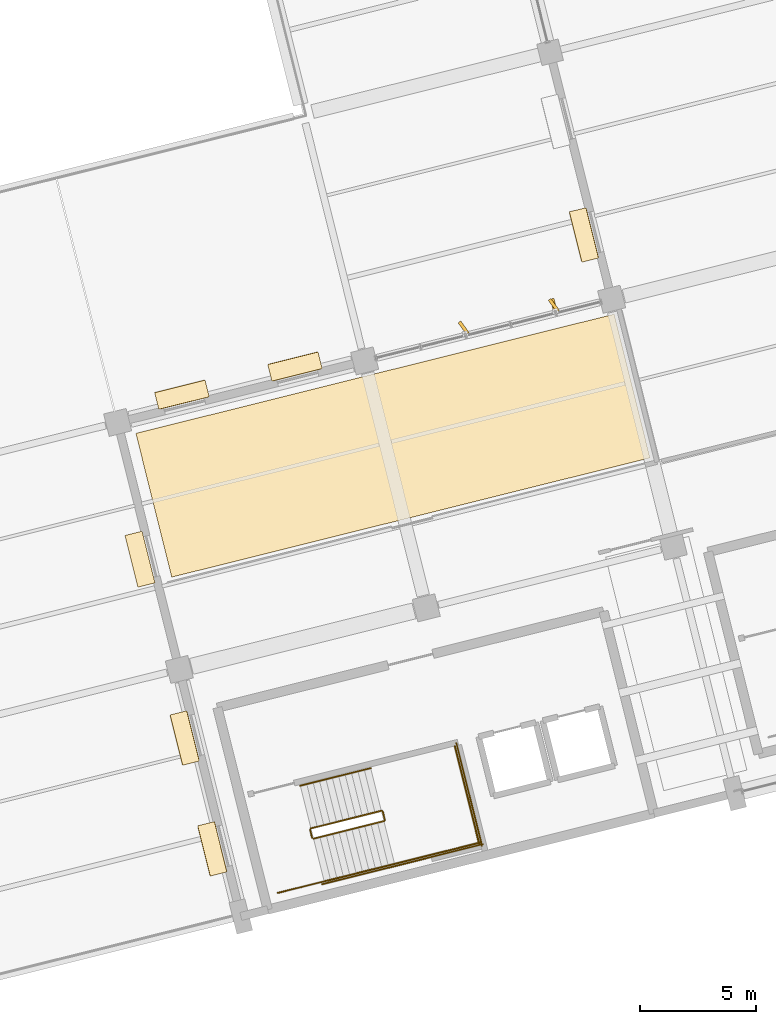
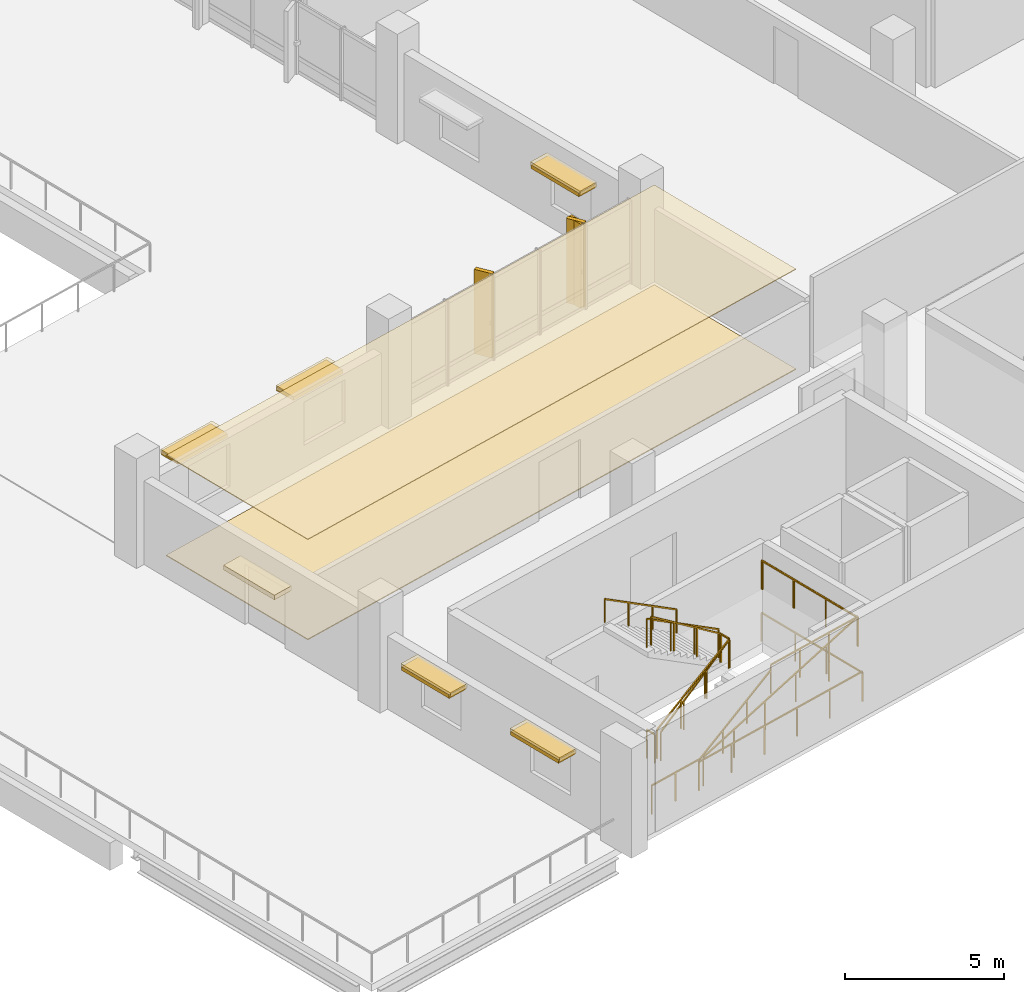
# One storey, part 71 of 75: 13 railings, 9 coverings, 7 shading devices.
"""IFC4 building model written with IfcOpenShell, lengths in metres."""

from ifc_helpers import new_model, si_unit, direction, frame, origin, origin_2d, place, context, subcontext, project, spatial, polyline, rectangle, outline, extrude, material, layer, layer_set, type_object, element, save


model = new_model("IFC4")

# Units and contexts
model_context = context("Model", 3, precision=1e-05, world=origin(), true_north=direction((0.0, 1.0)))
body_context = subcontext(model_context, "Body", "Model", "MODEL_VIEW")
ifc_project = project(units=[si_unit("LENGTHUNIT", "METRE"), si_unit("AREAUNIT", "SQUARE_METRE"), si_unit("VOLUMEUNIT", "CUBIC_METRE"), si_unit("PLANEANGLEUNIT", "RADIAN"), si_unit("MASSUNIT", "GRAM", prefix="KILO")], contexts=[model_context])

# Site, building, storey
site_placement = place(None, origin())
site = spatial("IfcSite", under=ifc_project, at=site_placement, CompositionType="ELEMENT")
building_placement = place(site_placement, origin())
building = spatial("IfcBuilding", under=site, at=building_placement, Name="Khorjan Park Terminus", CompositionType="ELEMENT")
storey_placement = place(building_placement, frame((0.0, 0.0, 16.2)))
storey = spatial("IfcBuildingStorey", under=building, at=storey_placement, Name="L03", CompositionType="ELEMENT", Elevation=16.2)

# Coverings
ifc_material_1 = material(Name="Perforated Acoustic Aluminium Baffle Ceiling", Category="aluminium")
ifc_layer_1 = layer(ifc_material_1, 0.03)
ifc_layer_set_1 = layer_set([ifc_layer_1], Name="Perforated Acoustic Aluminium Baffle Ceiling")
covering_type_1 = type_object("IfcCoveringType", Name="CV-CLG-ACS", PredefinedType="CEILING", material=ifc_layer_set_1)
covering_1_placement = place(storey_placement, frame((0.0, 0.0, 3.835)))
element("IfcCovering", 1, at=covering_1_placement, inside=storey, type_object=covering_type_1, Name="Flush acoustic baffle ceiling AC-60 (L03-SCADA)", PredefinedType="CEILING", context=body_context, shape_type="SweptSolid", body=[
    extrude(outline(polyline([(194.3545, 24.4773), (173.6872, 19.3244), (172.139, 25.5342), (192.8062, 30.6871), (194.3545, 24.4773)])), origin(), (0.0, 0.0, 1.0), 0.03),
])
ifc_material_2 = material(Name="Pigmented Precast GRC", Category="concrete")
ifc_layer_2 = layer(ifc_material_2, 0.16)
ifc_layer_set_2 = layer_set([ifc_layer_2], Name="Pigmented Precast GRC")
covering_type_2 = type_object("IfcCoveringType", Name="CV-FIN-GRC", PredefinedType="CLADDING", material=ifc_layer_set_2)
covering_2_placement = place(storey_placement, frame((190.1971, 31.0724, -0.02), z_axis=(0.0, 0.0, 1.0), x_axis=(0.2419218956, -0.970295726276, 0.0)))
element("IfcCovering", 2, at=covering_2_placement, inside=storey, type_object=covering_type_2, Name="Projecting desert-sandstone GRC facade fin CL-FN1 (CW-V5-NW2-L03-B01-1)", PredefinedType="CLADDING", context=body_context, shape_type="SweptSolid", body=[
    extrude(rectangle(XDim=0.58, YDim=0.16, at=origin_2d()), origin(), (0.0, 0.0, 1.0), 3.235),
])
ifc_material_3 = material(Name="Polished Desert Limestone Terrazzo", Category="masonry")
ifc_layer_3 = layer(ifc_material_3, 0.035)
ifc_layer_set_3 = layer_set([ifc_layer_3], Name="Polished Desert Limestone Terrazzo")
covering_type_3 = type_object("IfcCoveringType", Name="CV-FLR-TRZ", PredefinedType="FLOORING", material=ifc_layer_set_3)
covering_3_placement = place(storey_placement, origin())
element("IfcCovering", 3, at=covering_3_placement, inside=storey, type_object=covering_type_3, Name="Architectural floor finish FF-TRZ (L03-SCADA)", PredefinedType="FLOORING", context=body_context, shape_type="SweptSolid", body=[
    extrude(outline(polyline([(194.3545, 24.4773), (173.6872, 19.3244), (172.139, 25.5342), (192.8062, 30.6871), (194.3545, 24.4773)])), origin(), (0.0, 0.0, 1.0), 0.035),
])
ifc_layer_4 = layer(ifc_material_2, 0.18)
ifc_layer_set_4 = layer_set([ifc_layer_4], Name="Pigmented Precast GRC")
covering_type_4 = type_object("IfcCoveringType", Name="CV-HOOD-GRC", PredefinedType="CLADDING", material=ifc_layer_set_4)
for number, where, z_axis, x_axis, name in (
    (4, (191.499, 34.1115, 2.58), (0.0, 0.0, 1.0), (0.24192722513, -0.970294397459, 0.0), "Projecting desert-sandstone GRC window eyebrow CL-HD1 (EW-V5-NW1-L03-B04-2)"),
    (5, (179.0117, 28.4227, 2.58), (0.0, 0.0, 1.0), (-0.970293026443, -0.241932723782, 0.0), "Projecting desert-sandstone GRC window eyebrow CL-HD1 (EW-V5-NW2-L03-B02-1)"),
    (6, (174.1264, 27.2046, 2.58), (0.0, 0.0, 1.0), (-0.970293026443, -0.241932723782, 0.0), "Projecting desert-sandstone GRC window eyebrow CL-HD1 (EW-V5-NW2-L03-B02-2)"),
):
    element("IfcCovering", number, at=place(storey_placement, frame(where, z_axis=z_axis, x_axis=x_axis)), inside=storey, type_object=covering_type_4, Name=name, PredefinedType="CLADDING", context=body_context, shape_type="SweptSolid", body=[
        extrude(rectangle(XDim=2.24, YDim=0.74, at=origin_2d()), origin(), (0.0, 0.0, 1.0), 0.16),
    ])
covering_4_placement = place(storey_placement, frame((172.3136, 20.1004, 2.31), z_axis=(0.0, 0.0, 1.0), x_axis=(0.241918762633, -0.970296507407, 0.0)))
element("IfcCovering", 7, at=covering_4_placement, inside=storey, type_object=covering_type_4, Name="Projecting pigmented-GRC entrance canopy hood CL-HD1 (EW-V5-W-L03-B01)", PredefinedType="CLADDING", context=body_context, shape_type="SweptSolid", body=[
    extrude(rectangle(XDim=2.3, YDim=0.76, at=origin_2d()), origin(), (0.0, 0.0, 1.0), 0.18),
])
for number, where, z_axis, x_axis, name in (
    (8, (174.2462, 12.3703, 2.58), (0.0, 0.0, 1.0), (0.241920507483, -0.970296072371, 0.0), "Projecting desert-sandstone GRC window eyebrow CL-HD1 (EW-V5-W-L03-B02-1)"),
    (9, (175.44, 7.5819, 2.58), (0.0, 0.0, 1.0), (0.241920507483, -0.970296072371, 0.0), "Projecting desert-sandstone GRC window eyebrow CL-HD1 (EW-V5-W-L03-B02-2)"),
):
    element("IfcCovering", number, at=place(storey_placement, frame(where, z_axis=z_axis, x_axis=x_axis)), inside=storey, type_object=covering_type_4, Name=name, PredefinedType="CLADDING", context=body_context, shape_type="SweptSolid", body=[
        extrude(rectangle(XDim=2.24, YDim=0.74, at=origin_2d()), origin(), (0.0, 0.0, 1.0), 0.16),
    ])

# Railings
ifc_material_4 = material(Name="Steel S355", Category="steel")
railing_type_1 = type_object("IfcRailingType", Name="GR-112", PredefinedType="GUARDRAIL", material=ifc_material_4)
railing_1_placement = place(storey_placement, frame((179.8138, 8.0206, 0.175)))
element("IfcRailing", 10, at=railing_1_placement, inside=storey, type_object=railing_type_1, Name="L03 ST-03 stair guard 1", PredefinedType="GUARDRAIL", context=body_context, shape_type="SweptSolid", body=[
    extrude(rectangle(XDim=0.048, YDim=0.048, at=origin_2d()), frame((0.0, 0.0, 1.096), z_axis=(0.826848000136, 0.206181934415, 0.523269906063), x_axis=(-0.241950149517, 0.970288681346, 0.0)), (0.0, 0.0, 1.0), 3.6788),
    extrude(rectangle(XDim=0.042, YDim=0.042, at=origin_2d()), origin(), (0.0, 0.0, 1.0), 1.072),
    extrude(rectangle(XDim=0.042, YDim=0.042, at=origin_2d()), frame((1.0139, 0.2528, 0.6417)), (0.0, 0.0, 1.0), 1.072),
    extrude(rectangle(XDim=0.042, YDim=0.042, at=origin_2d()), frame((2.0279, 0.5057, 1.2833)), (0.0, 0.0, 1.0), 1.072),
    extrude(rectangle(XDim=0.042, YDim=0.042, at=origin_2d()), frame((3.0418, 0.7585, 1.925)), (0.0, 0.0, 1.0), 1.072),
])
railing_2_placement = place(storey_placement, frame((182.8921, 8.8397, 2.1)))
element("IfcRailing", 11, at=railing_2_placement, inside=storey, type_object=railing_type_1, Name="L03 ST-03 stair guard 2", PredefinedType="GUARDRAIL", context=body_context, shape_type="SweptSolid", body=[
    extrude(rectangle(XDim=0.048, YDim=0.048, at=origin_2d()), frame((0.0, 0.0, 1.096), z_axis=(-0.241947338122, 0.970289382388, 0.0), x_axis=(-0.970289382388, -0.241947338122, 0.0)), (0.0, 0.0, 1.0), 0.36),
    extrude(rectangle(XDim=0.042, YDim=0.042, at=origin_2d()), origin(), (0.0, 0.0, 1.0), 1.072),
    extrude(rectangle(XDim=0.042, YDim=0.042, at=origin_2d()), frame((-0.0871, 0.3493, 0.0)), (0.0, 0.0, 1.0), 1.072),
])
railing_3_placement = place(storey_placement, frame((183.3153, 6.9355, 2.1)))
element("IfcRailing", 12, at=railing_3_placement, inside=storey, type_object=railing_type_1, Name="L03 ST-03 stair guard 3", PredefinedType="GUARDRAIL", context=body_context, shape_type="SweptSolid", body=[
    extrude(rectangle(XDim=0.048, YDim=0.048, at=origin_2d()), frame((0.0, 0.0, 1.096), z_axis=(0.970296897562, 0.241917197781, 0.0), x_axis=(-0.241917197781, 0.970296897562, 0.0)), (0.0, 0.0, 1.0), 3.805),
    extrude(rectangle(XDim=0.042, YDim=0.042, at=origin_2d()), origin(), (0.0, 0.0, 1.0), 1.072),
    extrude(rectangle(XDim=0.042, YDim=0.042, at=origin_2d()), frame((1.2307, 0.3068, 0.0)), (0.0, 0.0, 1.0), 1.072),
    extrude(rectangle(XDim=0.042, YDim=0.042, at=origin_2d()), frame((2.4613, 0.6137, 0.0)), (0.0, 0.0, 1.0), 1.072),
    extrude(rectangle(XDim=0.042, YDim=0.042, at=origin_2d()), frame((3.692, 0.9205, 0.0)), (0.0, 0.0, 1.0), 1.072),
])
railing_4_placement = place(storey_placement, frame((186.9708, 7.7954, 2.1)))
element("IfcRailing", 13, at=railing_4_placement, inside=storey, type_object=railing_type_1, Name="L03 ST-03 stair guard 4", PredefinedType="GUARDRAIL", context=body_context, shape_type="SweptSolid", body=[
    extrude(rectangle(XDim=0.048, YDim=0.048, at=origin_2d()), frame((0.0, 0.0, 1.096), z_axis=(-0.241904163851, 0.970300147125, 0.0), x_axis=(-0.970300147125, -0.241904163851, 0.0)), (0.0, 0.0, 1.0), 4.36),
    extrude(rectangle(XDim=0.042, YDim=0.042, at=origin_2d()), origin(), (0.0, 0.0, 1.0), 1.072),
    extrude(rectangle(XDim=0.042, YDim=0.042, at=origin_2d()), frame((-0.3516, 1.4102, 0.0)), (0.0, 0.0, 1.0), 1.072),
    extrude(rectangle(XDim=0.042, YDim=0.042, at=origin_2d()), frame((-0.7031, 2.8203, 0.0)), (0.0, 0.0, 1.0), 1.072),
    extrude(rectangle(XDim=0.042, YDim=0.042, at=origin_2d()), frame((-1.0547, 4.2305, 0.0)), (0.0, 0.0, 1.0), 1.072),
])
railing_5_placement = place(storey_placement, frame((182.7444, 9.2254, 2.275)))
element("IfcRailing", 14, at=railing_5_placement, inside=storey, type_object=railing_type_1, Name="L03 ST-03 stair guard 5", PredefinedType="GUARDRAIL", context=body_context, shape_type="SweptSolid", body=[
    extrude(rectangle(XDim=0.048, YDim=0.048, at=origin_2d()), frame((0.0, 0.0, 1.096), z_axis=(-0.826861232128, -0.206151273364, 0.523261077565), x_axis=(0.241912630498, -0.970298036278, 0.0)), (0.0, 0.0, 1.0), 3.6789),
    extrude(rectangle(XDim=0.042, YDim=0.042, at=origin_2d()), origin(), (0.0, 0.0, 1.0), 1.072),
    extrude(rectangle(XDim=0.042, YDim=0.042, at=origin_2d()), frame((-1.014, -0.2528, 0.6417)), (0.0, 0.0, 1.0), 1.072),
    extrude(rectangle(XDim=0.042, YDim=0.042, at=origin_2d()), frame((-2.0279, -0.5056, 1.2833)), (0.0, 0.0, 1.0), 1.072),
    extrude(rectangle(XDim=0.042, YDim=0.042, at=origin_2d()), frame((-3.0419, -0.7584, 1.925)), (0.0, 0.0, 1.0), 1.072),
])
railing_6_placement = place(storey_placement, frame((179.7532, 8.0571, 0.0)))
element("IfcRailing", 15, at=railing_6_placement, inside=storey, type_object=railing_type_1, Name="L03 ST-03 stair guard 6", PredefinedType="GUARDRAIL", context=body_context, shape_type="SweptSolid", body=[
    extrude(rectangle(XDim=0.048, YDim=0.048, at=origin_2d()), frame((0.0, 0.0, 1.096), z_axis=(-0.241947338122, 0.970289382388, 0.0), x_axis=(-0.970289382388, -0.241947338122, 0.0)), (0.0, 0.0, 1.0), 0.36),
    extrude(rectangle(XDim=0.042, YDim=0.042, at=origin_2d()), origin(), (0.0, 0.0, 1.0), 1.072),
    extrude(rectangle(XDim=0.042, YDim=0.042, at=origin_2d()), frame((-0.0871, 0.3493, 0.0)), (0.0, 0.0, 1.0), 1.072),
])
railing_7_placement = place(storey_placement, frame((178.2746, 5.6787, 0.0)))
element("IfcRailing", 16, at=railing_7_placement, inside=storey, type_object=railing_type_1, Name="L03 ST-03 stair guard 7", PredefinedType="GUARDRAIL", context=body_context, shape_type="SweptSolid", body=[
    extrude(rectangle(XDim=0.048, YDim=0.048, at=origin_2d()), frame((0.0, 0.0, 1.096), z_axis=(0.97029080484, 0.241941633546, 0.0), x_axis=(-0.241941633546, 0.97029080484, 0.0)), (0.0, 0.0, 1.0), 2.06),
    extrude(rectangle(XDim=0.042, YDim=0.042, at=origin_2d()), origin(), (0.0, 0.0, 1.0), 1.072),
    extrude(rectangle(XDim=0.042, YDim=0.042, at=origin_2d()), frame((0.9994, 0.2492, 0.0)), (0.0, 0.0, 1.0), 1.072),
    extrude(rectangle(XDim=0.042, YDim=0.042, at=origin_2d()), frame((1.9988, 0.4984, 0.0)), (0.0, 0.0, 1.0), 1.072),
])
railing_8_placement = place(storey_placement, frame((180.2006, 6.0559, 0.0)))
element("IfcRailing", 17, at=railing_8_placement, inside=storey, type_object=railing_type_1, Name="L03 ST-03 stair guard 8", PredefinedType="GUARDRAIL", context=body_context, shape_type="SweptSolid", body=[
    extrude(rectangle(XDim=0.048, YDim=0.048, at=origin_2d()), frame((0.0, 0.0, 1.096), z_axis=(0.970296366402, 0.241919328178, 0.0), x_axis=(-0.241919328178, 0.970296366402, 0.0)), (0.0, 0.0, 1.0), 7.14),
    extrude(rectangle(XDim=0.042, YDim=0.042, at=origin_2d()), origin(), (0.0, 0.0, 1.0), 1.072),
    extrude(rectangle(XDim=0.042, YDim=0.042, at=origin_2d()), frame((1.3856, 0.3455, 0.0)), (0.0, 0.0, 1.0), 1.072),
    extrude(rectangle(XDim=0.042, YDim=0.042, at=origin_2d()), frame((2.7712, 0.6909, 0.0)), (0.0, 0.0, 1.0), 1.072),
    extrude(rectangle(XDim=0.042, YDim=0.042, at=origin_2d()), frame((4.1567, 1.0364, 0.0)), (0.0, 0.0, 1.0), 1.072),
    extrude(rectangle(XDim=0.042, YDim=0.042, at=origin_2d()), frame((5.5423, 1.3818, 0.0)), (0.0, 0.0, 1.0), 1.072),
    extrude(rectangle(XDim=0.042, YDim=0.042, at=origin_2d()), frame((6.9279, 1.7273, 0.0)), (0.0, 0.0, 1.0), 1.072),
])
railing_9_placement = place(storey_placement, frame((187.0921, 7.7226, 0.0)))
element("IfcRailing", 18, at=railing_9_placement, inside=storey, type_object=railing_type_1, Name="L03 ST-03 stair guard 9", PredefinedType="GUARDRAIL", context=body_context, shape_type="SweptSolid", body=[
    extrude(rectangle(XDim=0.048, YDim=0.048, at=origin_2d()), frame((0.0, 0.0, 1.096), z_axis=(-0.24193185783, 0.970293242359, 0.0), x_axis=(-0.970293242359, -0.24193185783, 0.0)), (0.0, 0.0, 1.0), 4.56),
    extrude(rectangle(XDim=0.042, YDim=0.042, at=origin_2d()), origin(), (0.0, 0.0, 1.0), 1.072),
    extrude(rectangle(XDim=0.042, YDim=0.042, at=origin_2d()), frame((-0.3677, 1.4748, 0.0)), (0.0, 0.0, 1.0), 1.072),
    extrude(rectangle(XDim=0.042, YDim=0.042, at=origin_2d()), frame((-0.7355, 2.9497, 0.0)), (0.0, 0.0, 1.0), 1.072),
    extrude(rectangle(XDim=0.042, YDim=0.042, at=origin_2d()), frame((-1.1032, 4.4245, 0.0)), (0.0, 0.0, 1.0), 1.072),
])
railing_10_placement = place(storey_placement, frame((179.986, 8.0739, 0.0)))
element("IfcRailing", 19, at=railing_10_placement, inside=storey, type_object=railing_type_1, Name="Core K3 stair well slot guard GR-112 (L03)", PredefinedType="GUARDRAIL", context=body_context, shape_type="SweptSolid", body=[
    extrude(rectangle(XDim=0.048, YDim=0.048, at=origin_2d()), frame((0.0, 0.0, 1.096), z_axis=(0.79445963012, 0.198068135589, 0.57411053794), x_axis=(-0.241907065545, 0.970299423704, 0.0)), (0.0, 0.0, 1.0), 3.6578),
    extrude(rectangle(XDim=0.048, YDim=0.048, at=origin_2d()), frame((2.906, 0.7245, 3.196), z_axis=(-0.241786986316, 0.970329352977, 0.0), x_axis=(-0.970329352977, -0.241786986316, 0.0)), (0.0, 0.0, 1.0), 0.4401),
    extrude(rectangle(XDim=0.048, YDim=0.048, at=origin_2d()), frame((2.7996, 1.1515, 3.196), z_axis=(-0.79446541114, -0.198090099072, 0.574094960047), x_axis=(0.241930662851, -0.970293540313, 0.0)), (0.0, 0.0, 1.0), 3.6579),
    extrude(rectangle(XDim=0.042, YDim=0.042, at=origin_2d()), origin(), (0.0, 0.0, 1.0), 1.072),
    extrude(rectangle(XDim=0.042, YDim=0.042, at=origin_2d()), frame((0.9687, 0.2415, 0.7)), (0.0, 0.0, 1.0), 1.072),
    extrude(rectangle(XDim=0.042, YDim=0.042, at=origin_2d()), frame((1.9373, 0.483, 1.4)), (0.0, 0.0, 1.0), 1.072),
    extrude(rectangle(XDim=0.042, YDim=0.042, at=origin_2d()), frame((2.906, 0.7245, 2.1)), (0.0, 0.0, 1.0), 1.072),
    extrude(rectangle(XDim=0.042, YDim=0.042, at=origin_2d()), frame((2.7996, 1.1515, 2.1)), (0.0, 0.0, 1.0), 1.072),
    extrude(rectangle(XDim=0.042, YDim=0.042, at=origin_2d()), frame((1.8309, 0.91, 2.8)), (0.0, 0.0, 1.0), 1.072),
    extrude(rectangle(XDim=0.042, YDim=0.042, at=origin_2d()), frame((0.8622, 0.6684, 3.5)), (0.0, 0.0, 1.0), 1.072),
    extrude(rectangle(XDim=0.042, YDim=0.042, at=origin_2d()), frame((-0.1065, 0.4269, 4.2)), (0.0, 0.0, 1.0), 1.072),
])
railing_11_placement = place(storey_placement, frame((180.4505, 6.2109, 0.0)))
element("IfcRailing", 20, at=railing_11_placement, inside=storey, type_object=railing_type_1, Name="Core K3 stair side & landing guard GR-112 (L03)", PredefinedType="GUARDRAIL", context=body_context, shape_type="SweptSolid", body=[
    extrude(rectangle(XDim=0.048, YDim=0.048, at=origin_2d()), frame((0.0, 0.0, 1.096), z_axis=(0.926128560381, 0.230907183702, 0.298274642169), x_axis=(-0.241919330403, 0.970296365848, 0.0)), (0.0, 0.0, 1.0), 7.0405),
    extrude(rectangle(XDim=0.048, YDim=0.048, at=origin_2d()), frame((6.5204, 1.6257, 3.196), z_axis=(-0.2419363556, 0.970292120879, 0.0), x_axis=(-0.970292120879, -0.2419363556, 0.0)), (0.0, 0.0, 1.0), 4.2801),
    extrude(rectangle(XDim=0.042, YDim=0.042, at=origin_2d()), origin(), (0.0, 0.0, 1.0), 1.072),
    extrude(rectangle(XDim=0.042, YDim=0.042, at=origin_2d()), frame((1.3041, 0.3251, 0.42)), (0.0, 0.0, 1.0), 1.072),
    extrude(rectangle(XDim=0.042, YDim=0.042, at=origin_2d()), frame((2.6082, 0.6503, 0.84)), (0.0, 0.0, 1.0), 1.072),
    extrude(rectangle(XDim=0.042, YDim=0.042, at=origin_2d()), frame((3.9122, 0.9754, 1.26)), (0.0, 0.0, 1.0), 1.072),
    extrude(rectangle(XDim=0.042, YDim=0.042, at=origin_2d()), frame((5.2163, 1.3006, 1.68)), (0.0, 0.0, 1.0), 1.072),
    extrude(rectangle(XDim=0.042, YDim=0.042, at=origin_2d()), frame((6.5204, 1.6257, 2.1)), (0.0, 0.0, 1.0), 1.072),
    extrude(rectangle(XDim=0.042, YDim=0.042, at=origin_2d()), frame((6.1752, 3.01, 2.1)), (0.0, 0.0, 1.0), 1.072),
    extrude(rectangle(XDim=0.042, YDim=0.042, at=origin_2d()), frame((5.8301, 4.3943, 2.1)), (0.0, 0.0, 1.0), 1.072),
    extrude(rectangle(XDim=0.042, YDim=0.042, at=origin_2d()), frame((5.4849, 5.7786, 2.1)), (0.0, 0.0, 1.0), 1.072),
])
railing_type_2 = type_object("IfcRailingType", Name="HR-92", PredefinedType="HANDRAIL", material=ifc_material_4)
railing_12_placement = place(storey_placement, frame((180.2734, 6.1771, 0.175)))
element("IfcRailing", 21, at=railing_12_placement, inside=storey, type_object=railing_type_2, Name="L03 ST-03 stair handrail 1", PredefinedType="HANDRAIL", context=body_context, shape_type="SweptSolid", body=[
    extrude(rectangle(XDim=0.048, YDim=0.048, at=origin_2d()), frame((0.0, 0.0, 0.896), z_axis=(0.826861232128, 0.206151273364, 0.523261077565), x_axis=(-0.241912630498, 0.970298036278, 0.0)), (0.0, 0.0, 1.0), 3.6789),
    extrude(rectangle(XDim=0.042, YDim=0.042, at=origin_2d()), origin(), (0.0, 0.0, 1.0), 0.872),
    extrude(rectangle(XDim=0.042, YDim=0.042, at=origin_2d()), frame((1.014, 0.2528, 0.6417)), (0.0, 0.0, 1.0), 0.872),
    extrude(rectangle(XDim=0.042, YDim=0.042, at=origin_2d()), frame((2.0279, 0.5056, 1.2833)), (0.0, 0.0, 1.0), 0.872),
    extrude(rectangle(XDim=0.042, YDim=0.042, at=origin_2d()), frame((3.0419, 0.7584, 1.925)), (0.0, 0.0, 1.0), 0.872),
])
railing_13_placement = place(storey_placement, frame((182.2847, 11.069, 2.275)))
element("IfcRailing", 22, at=railing_13_placement, inside=storey, type_object=railing_type_2, Name="L03 ST-03 stair handrail 2", PredefinedType="HANDRAIL", context=body_context, shape_type="SweptSolid", body=[
    extrude(rectangle(XDim=0.048, YDim=0.048, at=origin_2d()), frame((0.0, 0.0, 0.896), z_axis=(-0.826856598391, -0.206177300332, 0.523258145206), x_axis=(0.241942661201, -0.970290548594, 0.0)), (0.0, 0.0, 1.0), 3.6789),
    extrude(rectangle(XDim=0.042, YDim=0.042, at=origin_2d()), origin(), (0.0, 0.0, 1.0), 0.872),
    extrude(rectangle(XDim=0.042, YDim=0.042, at=origin_2d()), frame((-1.014, -0.2528, 0.6417)), (0.0, 0.0, 1.0), 0.872),
    extrude(rectangle(XDim=0.042, YDim=0.042, at=origin_2d()), frame((-2.0279, -0.5057, 1.2833)), (0.0, 0.0, 1.0), 0.872),
    extrude(rectangle(XDim=0.042, YDim=0.042, at=origin_2d()), frame((-3.0419, -0.7585, 1.925)), (0.0, 0.0, 1.0), 0.872),
])

# Shading devices
ifc_material_5 = material(Name="Anodized Bronze Aluminium", Category="aluminium")
shading_device_type_1 = type_object("IfcShadingDeviceType", Name="SD-FIN-620", PredefinedType="JALOUSIE", material=ifc_material_5)
for number, where, z_axis, x_axis, name in (
    (23, (190.1971, 31.0724, -0.02), (0.0, 0.0, 1.0), (0.587785252292, -0.809016994375, 0.0), "Angled solar brise-soleil fin SF-62 (CW-V5-NW2-L03-B01-1)"),
    (24, (186.3005, 30.1009, -0.02), (0.0, 0.0, 1.0), (0.587785252292, -0.809016994375, 0.0), "Angled solar brise-soleil fin SF-62 (CW-V5-NW2-L03-B01-3)"),
):
    element("IfcShadingDevice", number, at=place(storey_placement, frame(where, z_axis=z_axis, x_axis=x_axis)), inside=storey, type_object=shading_device_type_1, Name=name, PredefinedType="JALOUSIE", context=body_context, shape_type="SweptSolid", body=[
        extrude(rectangle(XDim=0.62, YDim=0.14, at=origin_2d()), origin(), (0.0, 0.0, 1.0), 3.235),
    ])
shading_device_type_2 = type_object("IfcShadingDeviceType", Name="SD-SUN-750", PredefinedType="SHUTTER", material=ifc_material_5)
for number, where, z_axis, x_axis, name in (
    (25, (191.499, 34.1115, 2.51), (0.0, 0.0, 1.0), (0.24192722513, -0.970294397459, 0.0), "Projecting solar overhang hood SH-75 (EW-V5-NW1-L03-B04-2)"),
    (26, (179.0117, 28.4227, 2.51), (0.0, 0.0, 1.0), (-0.970293026443, -0.241932723782, 0.0), "Projecting solar overhang hood SH-75 (EW-V5-NW2-L03-B02-1)"),
    (27, (174.1264, 27.2046, 2.51), (0.0, 0.0, 1.0), (-0.970293026443, -0.241932723782, 0.0), "Projecting solar overhang hood SH-75 (EW-V5-NW2-L03-B02-2)"),
    (28, (174.2462, 12.3703, 2.51), (0.0, 0.0, 1.0), (0.241920507483, -0.970296072371, 0.0), "Projecting solar overhang hood SH-75 (EW-V5-W-L03-B02-1)"),
    (29, (175.44, 7.5819, 2.51), (0.0, 0.0, 1.0), (0.241920507483, -0.970296072371, 0.0), "Projecting solar overhang hood SH-75 (EW-V5-W-L03-B02-2)"),
):
    element("IfcShadingDevice", number, at=place(storey_placement, frame(where, z_axis=z_axis, x_axis=x_axis)), inside=storey, type_object=shading_device_type_2, Name=name, PredefinedType="SHUTTER", context=body_context, shape_type="SweptSolid", body=[
        extrude(rectangle(XDim=2.16, YDim=0.76, at=origin_2d()), origin(), (0.0, 0.0, 1.0), 0.14),
    ])

save(model, "model.ifc")
